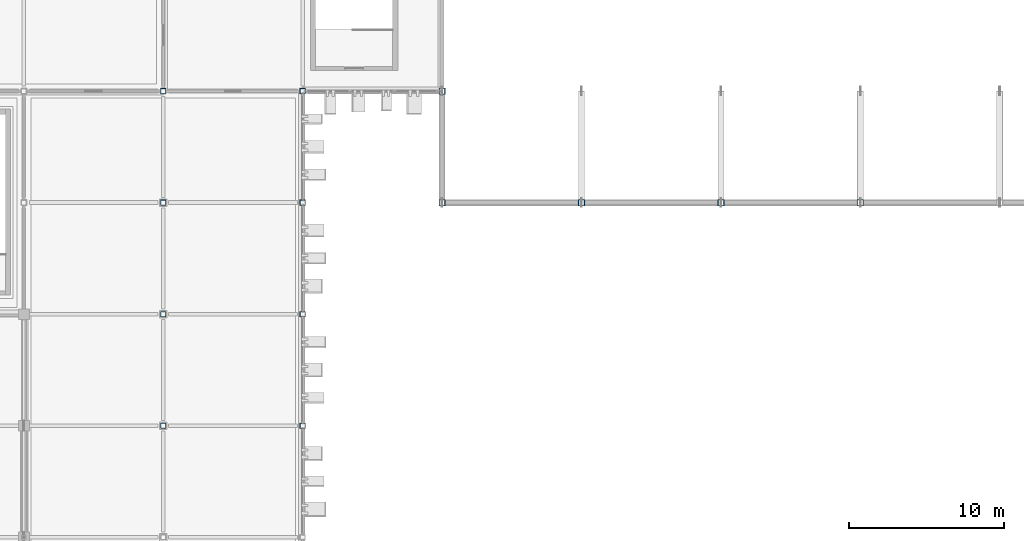
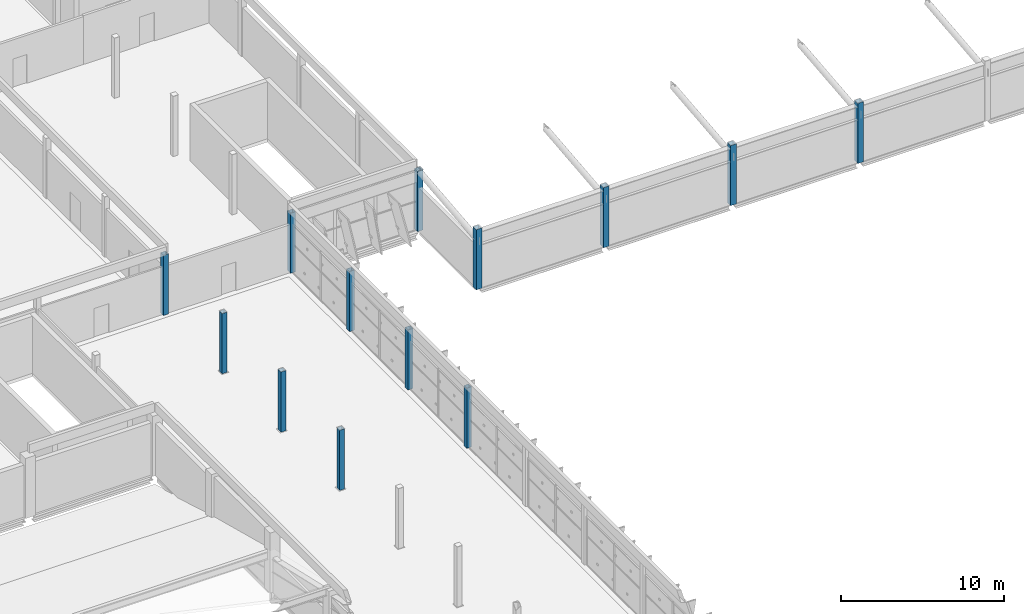
# One storey, part 4 of 124: 13 columns.
"""IFC4 building model written with IfcOpenShell, lengths in metres."""

from ifc_helpers import new_model, si_unit, direction, frame, origin, origin_2d, place, context, subcontext, project, spatial, hollow_rectangle, extrude, material, material_profile, profile_set, type_object, element, save


model = new_model("IFC4")

# Units and contexts
model_context = context("Model", 3, precision=1e-05, world=origin(), true_north=direction((0.0, 1.0)))
body_context = subcontext(model_context, "Body", "Model", "MODEL_VIEW")
ifc_project = project(units=[si_unit("LENGTHUNIT", "METRE"), si_unit("AREAUNIT", "SQUARE_METRE"), si_unit("VOLUMEUNIT", "CUBIC_METRE"), si_unit("PLANEANGLEUNIT", "RADIAN"), si_unit("MASSUNIT", "GRAM", prefix="KILO")], contexts=[model_context])

# Site, building, storey
site_placement = place(None, origin())
site = spatial("IfcSite", under=ifc_project, at=site_placement, CompositionType="ELEMENT")
building_placement = place(site_placement, origin())
building = spatial("IfcBuilding", under=site, at=building_placement, Name="Celestram Park Convention Centre", CompositionType="ELEMENT")
storey_placement = place(building_placement, frame((0.0, 0.0, 15.300048828125)))
storey = spatial("IfcBuildingStorey", under=building, at=storey_placement, Name="L03", CompositionType="ELEMENT", Elevation=15.300048828125)

# Columns
ifc_material = material(Name="Steel ASTM A500 Grade C", Category="steel")
ifc_material_profile_1 = material_profile(ifc_material, hollow_rectangle(XDim=0.35009765625, YDim=0.35009765625, WallThickness=0.01611328125, at=origin_2d()), Name="HSS350X350X16")
ifc_profile_set_1 = profile_set([ifc_material_profile_1], Name="Steel ASTM A500 Grade C")
column_type_1 = type_object("IfcColumnType", Name="STR-COL-HSS350", PredefinedType="COLUMN", material=ifc_profile_set_1)
for number, where, z_axis, x_axis, name in (
    (1, (135.0, 100.800048828125, 0.0), (0.0, 0.0, 1.0), (1.0, 0.0, 0.0), "Column CN-L03-114"),
    (2, (135.0, 108.0, 0.0), (0.0, 0.0, 1.0), (1.0, 0.0, 0.0), "Column CN-L03-115"),
    (3, (135.0, 115.199951171875, 0.0), (0.0, 0.0, 1.0), (1.0, 0.0, 0.0), "Column CN-L03-116"),
    (4, (135.0, 122.39990234375, 0.0), (0.0, 0.0, 1.0), (1.0, 0.0, 0.0), "Column CN-L03-117"),
    (5, (144.0, 100.800048828125, 0.0), (0.0, 0.0, 1.0), (1.0, 0.0, 0.0), "Column CN-L03-133"),
    (6, (144.0, 108.0, 0.0), (0.0, 0.0, 1.0), (1.0, 0.0, 0.0), "Column CN-L03-134"),
    (7, (144.0, 115.199951171875, 0.0), (0.0, 0.0, 1.0), (1.0, 0.0, 0.0), "Column CN-L03-135"),
    (8, (144.0, 122.39990234375, 0.0), (0.0, 0.0, 1.0), (1.0, 0.0, 0.0), "Column CN-L03-136"),
):
    element("IfcColumn", number, at=place(storey_placement, frame(where, z_axis=z_axis, x_axis=x_axis)), inside=storey, type_object=column_type_1, Name=name, PredefinedType="COLUMN", context=body_context, shape_type="SweptSolid", body=[
        extrude(hollow_rectangle(XDim=0.35009765625, YDim=0.35009765625, WallThickness=0.01611328125, at=origin_2d()), origin(), (0.0, 0.0, 1.0), 4.5),
    ])
ifc_material_profile_2 = material_profile(ifc_material, hollow_rectangle(XDim=0.39990234375, YDim=0.39990234375, WallThickness=0.01611328125, at=origin_2d()), Name="HSS400X400X16")
ifc_profile_set_2 = profile_set([ifc_material_profile_2], Name="Steel ASTM A500 Grade C")
column_type_2 = type_object("IfcColumnType", Name="STR-COL-HSS400", PredefinedType="COLUMN", material=ifc_profile_set_2)
for number, where, z_axis, x_axis, name in (
    (9, (153.0, 115.199951171875, 0.0), (0.0, 0.0, 1.0), (1.0, 0.0, 0.0), "Column CN-L03-143"),
    (10, (153.0, 122.39990234375, 0.0), (0.0, 0.0, 1.0), (1.0, 0.0, 0.0), "Column CN-L03-144"),
    (11, (162.0, 115.199951171875, 0.0), (0.0, 0.0, 1.0), (1.0, 0.0, 0.0), "Column CN-L03-151"),
    (12, (171.0, 115.199951171875, 0.0), (0.0, 0.0, 1.0), (1.0, 0.0, 0.0), "Column CN-L03-153"),
    (13, (180.0, 115.199951171875, 0.0), (0.0, 0.0, 1.0), (1.0, 0.0, 0.0), "Column CN-L03-155"),
):
    element("IfcColumn", number, at=place(storey_placement, frame(where, z_axis=z_axis, x_axis=x_axis)), inside=storey, type_object=column_type_2, Name=name, PredefinedType="COLUMN", context=body_context, shape_type="SweptSolid", body=[
        extrude(hollow_rectangle(XDim=0.39990234375, YDim=0.39990234375, WallThickness=0.01611328125, at=origin_2d()), origin(), (0.0, 0.0, 1.0), 4.5),
    ])

save(model, "model.ifc")
